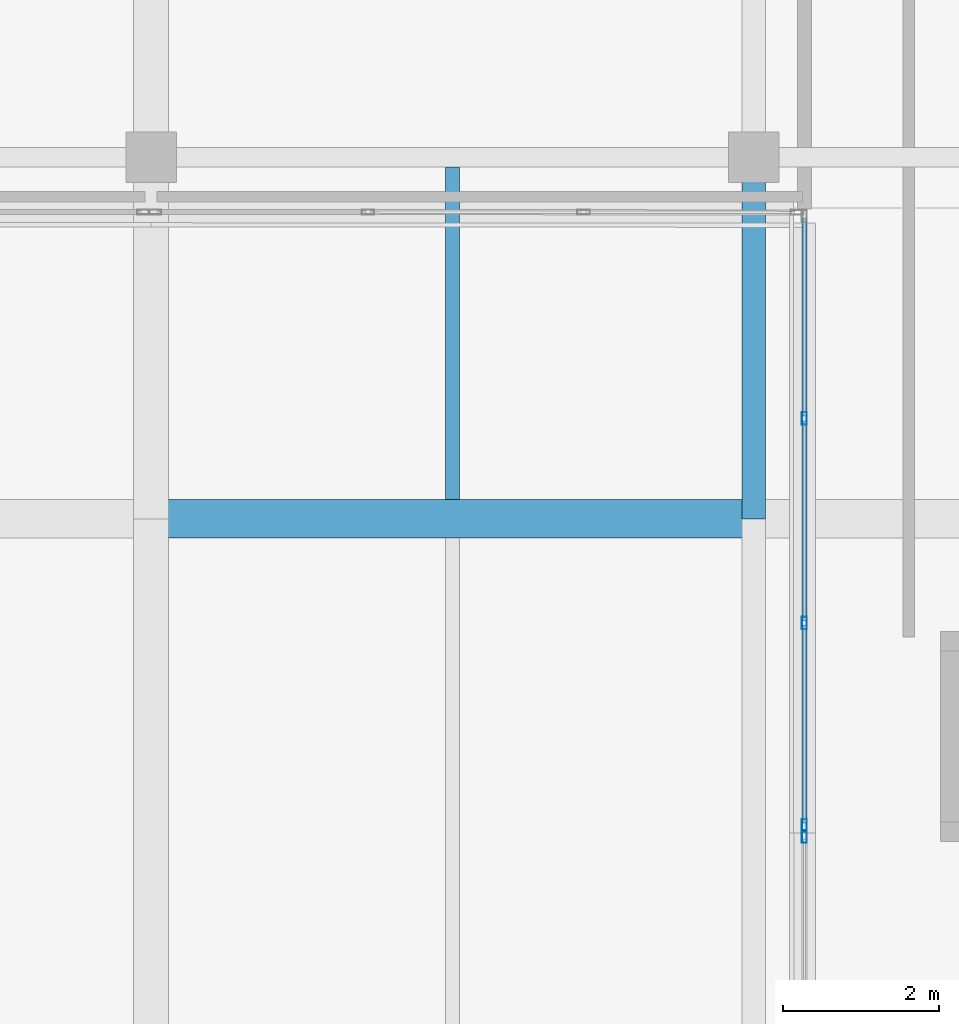
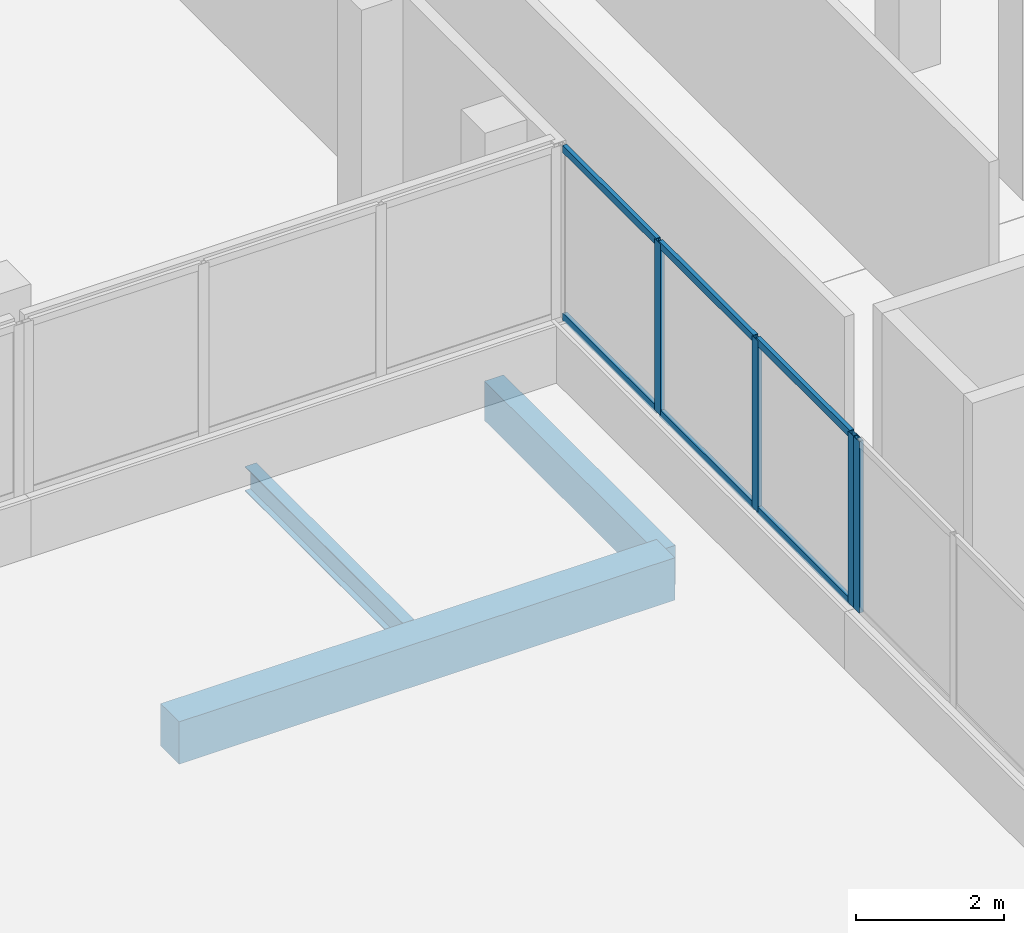
# One storey, part 45 of 78: 10 members, 3 beams, 2 elements without a shape of their own.
"""IFC4 building model written with IfcOpenShell, lengths in metres."""

from ifc_helpers import new_model, si_unit, direction, frame, origin, origin_2d, place, context, subcontext, project, spatial, rectangle, hollow_rectangle, i_section, extrude, material, material_profile, profile_set, type_object, element, aggregate, save


model = new_model("IFC4")

# Units and contexts
model_context = context("Model", 3, precision=1e-05, world=origin(), true_north=direction((0.0, 1.0)))
body_context = subcontext(model_context, "Body", "Model", "MODEL_VIEW")
ifc_project = project(units=[si_unit("LENGTHUNIT", "METRE"), si_unit("AREAUNIT", "SQUARE_METRE"), si_unit("VOLUMEUNIT", "CUBIC_METRE"), si_unit("PLANEANGLEUNIT", "RADIAN"), si_unit("MASSUNIT", "GRAM", prefix="KILO")], contexts=[model_context])

# Site, building, storey
site_placement = place(None, origin())
site = spatial("IfcSite", under=ifc_project, at=site_placement, CompositionType="ELEMENT")
building_placement = place(site_placement, origin())
building = spatial("IfcBuilding", under=site, at=building_placement, Name="Selatvlak General Hospital", CompositionType="ELEMENT")
storey_placement = place(building_placement, frame((0.0, 0.0, 23.25)))
storey = spatial("IfcBuildingStorey", under=building, at=storey_placement, Name="L05", CompositionType="ELEMENT", Elevation=23.25)

# Beams
ifc_material_1 = material(Name="Concrete C40/50", Category="concrete")
ifc_material_profile_1 = material_profile(ifc_material_1, rectangle(XDim=0.5, YDim=0.699951171875, at=origin_2d()), Name="RC-BM 500x700")
ifc_profile_set_1 = profile_set([ifc_material_profile_1], Name="Concrete C40/50")
beam_type_1 = type_object("IfcBeamType", Name="BM-G03", PredefinedType="BEAM", material=ifc_profile_set_1)
beam_1_placement = place(storey_placement, frame((140.39990234375, 84.0, -0.64990234375), z_axis=(1.0, 0.0, 0.0), x_axis=(0.0, 1.0, 0.0)))
element("IfcBeam", 1, at=beam_1_placement, inside=storey, type_object=beam_type_1, Name="Beam BMR-L05-1881", PredefinedType="BEAM", context=body_context, shape_type="SweptSolid", body=[
    extrude(rectangle(XDim=0.5, YDim=0.699951171875, at=origin_2d()), origin(), (0.0, 0.0, 1.0), 7.75),
])
ifc_material_2 = material(Name="Steel S355", Category="steel")
ifc_material_profile_2 = material_profile(ifc_material_2, i_section(OverallWidth=0.177978515625, OverallDepth=0.406494140625, WebThickness=0.0078125, FlangeThickness=0.0126953125, at=origin_2d()), Name="UB 406x178x60")
ifc_profile_set_2 = profile_set([ifc_material_profile_2], Name="Steel S355")
beam_type_2 = type_object("IfcBeamType", Name="BM-J04", PredefinedType="JOIST", material=ifc_profile_set_2)
beam_2_placement = place(storey_placement, frame((144.27490234375, 84.25, -0.5029296875), z_axis=(0.0, 1.0, 0.0), x_axis=(-1.0, 0.0, 0.0)))
element("IfcBeam", 2, at=beam_2_placement, inside=storey, type_object=beam_type_2, Name="Beam BMR-L05-2124", PredefinedType="JOIST", context=body_context, shape_type="SweptSolid", body=[
    extrude(i_section(OverallWidth=0.177978515625, OverallDepth=0.406494140625, WebThickness=0.0078125, FlangeThickness=0.0126953125, at=origin_2d()), origin(), (0.0, 0.0, 1.0), 4.27490234375),
])
ifc_material_profile_3 = material_profile(ifc_material_1, rectangle(XDim=0.300048828125, YDim=0.64990234375, at=origin_2d()), Name="RC-SP 300x650")
ifc_profile_set_3 = profile_set([ifc_material_profile_3], Name="Concrete C40/50")
beam_type_3 = type_object("IfcBeamType", Name="BM-SP1", PredefinedType="SPANDREL", material=ifc_profile_set_3)
beam_3_placement = place(storey_placement, frame((148.14990234375, 84.0, -0.625), z_axis=(0.0, 1.0, 0.0), x_axis=(-1.0, 0.0, 0.0)))
element("IfcBeam", 3, at=beam_3_placement, inside=storey, type_object=beam_type_3, Name="Beam BMR-L05-2074", PredefinedType="SPANDREL", context=body_context, shape_type="SweptSolid", body=[
    extrude(rectangle(XDim=0.300048828125, YDim=0.64990234375, at=origin_2d()), origin(), (0.0, 0.0, 1.0), 4.64990234375),
])

# Curtain wall, member
ifc_material_3 = material(Name="Solar-control Low-E double glazing", Category="glass")
curtain_wall_type_1 = type_object("IfcCurtainWallType", Name="CW-CW-02", PredefinedType="USERDEFINED", material=ifc_material_3)
curtain_wall_1_placement = place(storey_placement, origin())
curtain_wall_1 = element("IfcCurtainWall", 4, at=curtain_wall_1_placement, inside=storey, type_object=curtain_wall_type_1, Name="Glazed facade curtain wall CW-L05-0577", ObjectType="UNITISED CURTAIN WALL", PredefinedType="USERDEFINED")
ifc_material_4 = material(Name="Dark anodised aluminium mullion", Category="aluminium")
ifc_material_profile_4 = material_profile(ifc_material_4, hollow_rectangle(XDim=0.06494140625, YDim=0.159912109375, WallThickness=0.00390625, at=origin_2d()), Name="AL-MUL 65x160x4")
ifc_profile_set_4 = profile_set([ifc_material_profile_4], Name="Dark anodised aluminium mullion")
member_type_1 = type_object("IfcMemberType", Name="CWM-01", PredefinedType="MULLION", material=ifc_profile_set_4)
member_1_placement = place(storey_placement, frame((148.800048828125, 79.91259765625, 0.93994140625), z_axis=(0.0, 0.0, 1.0), x_axis=(-0.999999992089, -0.000125786158, 0.0)))
member_1 = element("IfcMember", 5, at=member_1_placement, type_object=member_type_1, Name="CW-02 mullion 4", PredefinedType="MULLION", context=body_context, shape_type="SweptSolid", body=[
    extrude(hollow_rectangle(XDim=0.06494140625, YDim=0.159912109375, WallThickness=0.00390625, at=origin_2d()), origin(), (0.0, 0.0, 1.0), 2.8349609375),
])
aggregate(curtain_wall_1, [member_1])

# Curtain wall, members
curtain_wall_type_2 = type_object("IfcCurtainWallType", Name="CW-CW-01", PredefinedType="USERDEFINED", material=ifc_material_3)
curtain_wall_2_placement = place(storey_placement, origin())
curtain_wall_2 = element("IfcCurtainWall", 6, at=curtain_wall_2_placement, inside=storey, type_object=curtain_wall_type_2, Name="Glazed facade curtain wall CW-L05-0578", ObjectType="UNITISED CURTAIN WALL", PredefinedType="USERDEFINED")
member_2_placement = place(storey_placement, frame((148.800048828125, 80.0576171875, 0.93994140625), z_axis=(0.0, 0.0, 1.0), x_axis=(-1.0, 0.0, 0.0)))
member_2 = element("IfcMember", 7, at=member_2_placement, type_object=member_type_1, Name="CW-01 mullion 1", PredefinedType="MULLION", context=body_context, shape_type="SweptSolid", body=[
    extrude(hollow_rectangle(XDim=0.06494140625, YDim=0.159912109375, WallThickness=0.00390625, at=origin_2d()), origin(), (0.0, 0.0, 1.0), 2.8349609375),
])
member_3_placement = place(storey_placement, frame((148.800048828125, 82.658447265625, 0.93994140625), z_axis=(0.0, 0.0, 1.0), x_axis=(-1.0, 0.0, 0.0)))
member_3 = element("IfcMember", 8, at=member_3_placement, type_object=member_type_1, Name="CW-01 mullion 2", PredefinedType="MULLION", context=body_context, shape_type="SweptSolid", body=[
    extrude(hollow_rectangle(XDim=0.06494140625, YDim=0.159912109375, WallThickness=0.00390625, at=origin_2d()), origin(), (0.0, 0.0, 1.0), 2.8349609375),
])
member_4_placement = place(storey_placement, frame((148.800048828125, 85.291748046875, 0.93994140625), z_axis=(0.0, 0.0, 1.0), x_axis=(-1.0, 0.0, 0.0)))
member_4 = element("IfcMember", 9, at=member_4_placement, type_object=member_type_1, Name="CW-01 mullion 3", PredefinedType="MULLION", context=body_context, shape_type="SweptSolid", body=[
    extrude(hollow_rectangle(XDim=0.06494140625, YDim=0.159912109375, WallThickness=0.00390625, at=origin_2d()), origin(), (0.0, 0.0, 1.0), 2.8349609375),
])
ifc_material_profile_5 = material_profile(ifc_material_4, hollow_rectangle(XDim=0.06494140625, YDim=0.1201171875, WallThickness=0.00390625, at=origin_2d()), Name="AL-TRN 65x120x4")
ifc_profile_set_5 = profile_set([ifc_material_profile_5], Name="Dark anodised aluminium mullion")
member_type_2 = type_object("IfcMemberType", Name="CWT-01", PredefinedType="USERDEFINED", material=ifc_profile_set_5)
member_5_placement = place(storey_placement, frame((148.800048828125, 80.090087890625, 0.972412109375), z_axis=(0.0, 1.0, 0.0), x_axis=(-1.0, 0.0, 0.0)))
member_5 = element("IfcMember", 10, at=member_5_placement, type_object=member_type_2, Name="CW-01 transom 1.1", ObjectType="TRANSOM", PredefinedType="USERDEFINED", context=body_context, shape_type="SweptSolid", body=[
    extrude(hollow_rectangle(XDim=0.06494140625, YDim=0.1201171875, WallThickness=0.00390625, at=origin_2d()), origin(), (0.0, 0.0, 1.0), 2.53564453125),
])
member_6_placement = place(storey_placement, frame((148.800048828125, 80.090087890625, 3.742431640625), z_axis=(0.0, 1.0, 0.0), x_axis=(-1.0, 0.0, 0.0)))
member_6 = element("IfcMember", 11, at=member_6_placement, type_object=member_type_2, Name="CW-01 transom 1.2", ObjectType="TRANSOM", PredefinedType="USERDEFINED", context=body_context, shape_type="SweptSolid", body=[
    extrude(hollow_rectangle(XDim=0.06494140625, YDim=0.1201171875, WallThickness=0.00390625, at=origin_2d()), origin(), (0.0, 0.0, 1.0), 2.53564453125),
])
member_7_placement = place(storey_placement, frame((148.800048828125, 82.69091796875, 0.972412109375), z_axis=(0.0, 1.0, 0.0), x_axis=(-1.0, 0.0, 0.0)))
member_7 = element("IfcMember", 12, at=member_7_placement, type_object=member_type_2, Name="CW-01 transom 2.1", ObjectType="TRANSOM", PredefinedType="USERDEFINED", context=body_context, shape_type="SweptSolid", body=[
    extrude(hollow_rectangle(XDim=0.06494140625, YDim=0.1201171875, WallThickness=0.00390625, at=origin_2d()), origin(), (0.0, 0.0, 1.0), 2.568359375),
])
member_8_placement = place(storey_placement, frame((148.800048828125, 82.69091796875, 3.742431640625), z_axis=(0.0, 1.0, 0.0), x_axis=(-1.0, 0.0, 0.0)))
member_8 = element("IfcMember", 13, at=member_8_placement, type_object=member_type_2, Name="CW-01 transom 2.2", ObjectType="TRANSOM", PredefinedType="USERDEFINED", context=body_context, shape_type="SweptSolid", body=[
    extrude(hollow_rectangle(XDim=0.06494140625, YDim=0.1201171875, WallThickness=0.00390625, at=origin_2d()), origin(), (0.0, 0.0, 1.0), 2.568359375),
])
member_9_placement = place(storey_placement, frame((148.800048828125, 85.32421875, 0.972412109375), z_axis=(0.0, 1.0, 0.0), x_axis=(-1.0, 0.0, 0.0)))
member_9 = element("IfcMember", 14, at=member_9_placement, type_object=member_type_2, Name="CW-01 transom 3.1", ObjectType="TRANSOM", PredefinedType="USERDEFINED", context=body_context, shape_type="SweptSolid", body=[
    extrude(hollow_rectangle(XDim=0.06494140625, YDim=0.1201171875, WallThickness=0.00390625, at=origin_2d()), origin(), (0.0, 0.0, 1.0), 2.535888671875),
])
member_10_placement = place(storey_placement, frame((148.800048828125, 85.32421875, 3.742431640625), z_axis=(0.0, 1.0, 0.0), x_axis=(-1.0, 0.0, 0.0)))
member_10 = element("IfcMember", 15, at=member_10_placement, type_object=member_type_2, Name="CW-01 transom 3.2", ObjectType="TRANSOM", PredefinedType="USERDEFINED", context=body_context, shape_type="SweptSolid", body=[
    extrude(hollow_rectangle(XDim=0.06494140625, YDim=0.1201171875, WallThickness=0.00390625, at=origin_2d()), origin(), (0.0, 0.0, 1.0), 2.535888671875),
])
aggregate(curtain_wall_2, [member_2, member_3, member_4, member_5, member_6, member_7, member_8, member_9, member_10])

save(model, "model.ifc")
